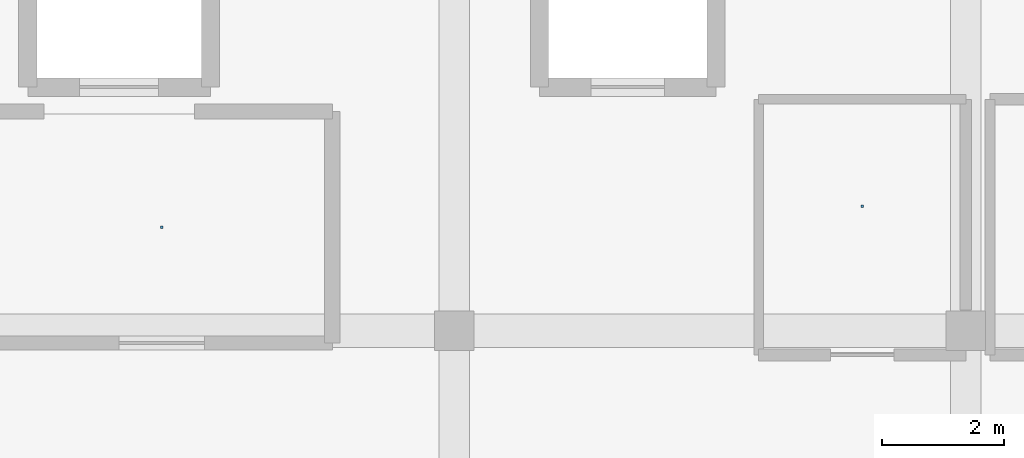
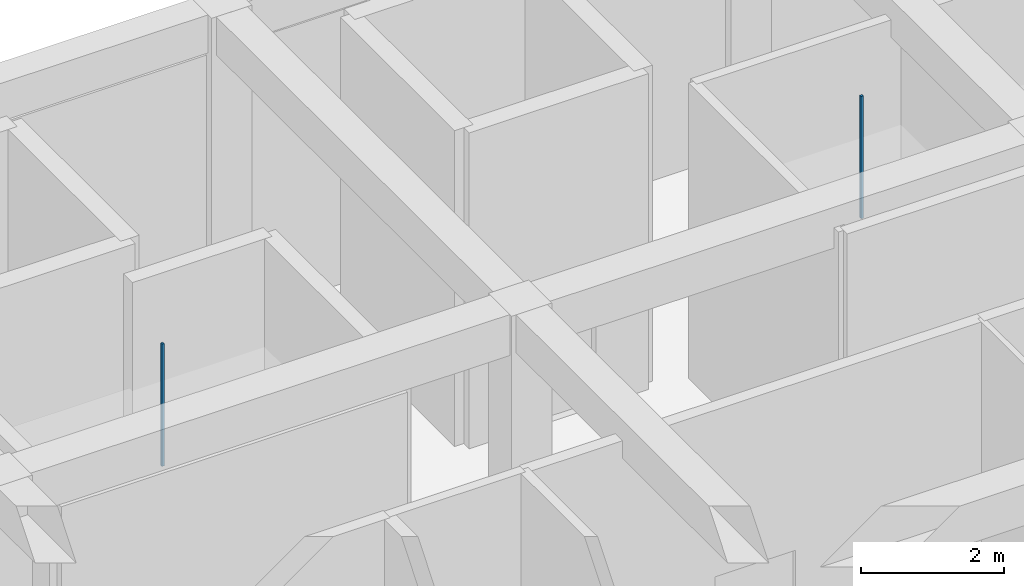
# One storey, part 132 of 157: 2 discrete accessories.
"""IFC4 building model written with IfcOpenShell, lengths in metres."""

from ifc_helpers import new_model, si_unit, direction, frame, origin, origin_2d, place, context, subcontext, project, spatial, rectangle, extrude, material, type_object, element, save


model = new_model("IFC4")

# Units and contexts
model_context = context("Model", 3, precision=1e-05, world=origin(), true_north=direction((0.0, 1.0)))
body_context = subcontext(model_context, "Body", "Model", "MODEL_VIEW")
ifc_project = project(units=[si_unit("LENGTHUNIT", "METRE"), si_unit("AREAUNIT", "SQUARE_METRE"), si_unit("VOLUMEUNIT", "CUBIC_METRE"), si_unit("PLANEANGLEUNIT", "RADIAN"), si_unit("MASSUNIT", "GRAM", prefix="KILO")], contexts=[model_context])

# Site, building, storey
site_placement = place(None, origin())
site = spatial("IfcSite", under=ifc_project, at=site_placement, CompositionType="ELEMENT")
building_placement = place(site_placement, origin())
building = spatial("IfcBuilding", under=site, at=building_placement, Name="Varncliffe General Hospital", CompositionType="ELEMENT")
storey_placement = place(building_placement, frame((0.0, 0.0, 5.39990234375)))
storey = spatial("IfcBuildingStorey", under=building, at=storey_placement, Name="L01", CompositionType="ELEMENT", Elevation=5.39990234375)

# Discrete accessories
ifc_material = material(Name="Powder-coated hospital steel guardrail and handrail", Category="steel")
discrete_accessory_type = type_object("IfcDiscreteAccessoryType", Name="Suspended Ceiling Hanger Bracket CH01", PredefinedType="BRACKET", material=ifc_material)
for number, where, z_axis, x_axis, name in (
    (1, (129.60009765625, 118.10009765625, 3.18994140625), (0.0, 0.0, 1.0), (1.0, 0.0, 0.0), "L01 Suspended Ceiling Hanger 113"),
    (2, (141.10009765625, 118.4423828125, 3.18994140625), (0.0, 0.0, 1.0), (1.0, 0.0, 0.0), "L01 Suspended Ceiling Hanger 122"),
):
    element("IfcDiscreteAccessory", number, at=place(storey_placement, frame(where, z_axis=z_axis, x_axis=x_axis)), inside=storey, type_object=discrete_accessory_type, Name=name, PredefinedType="BRACKET", context=body_context, shape_type="SweptSolid", body=[
        extrude(rectangle(XDim=0.0400390625, YDim=0.0400390625, at=origin_2d()), origin(), (0.0, 0.0, 1.0), 2.090087890625),
    ])

save(model, "model.ifc")
